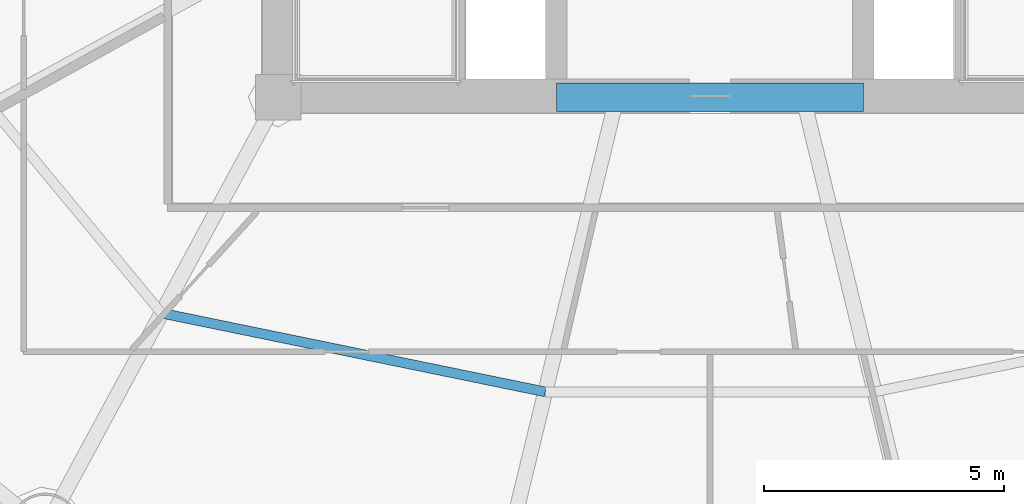
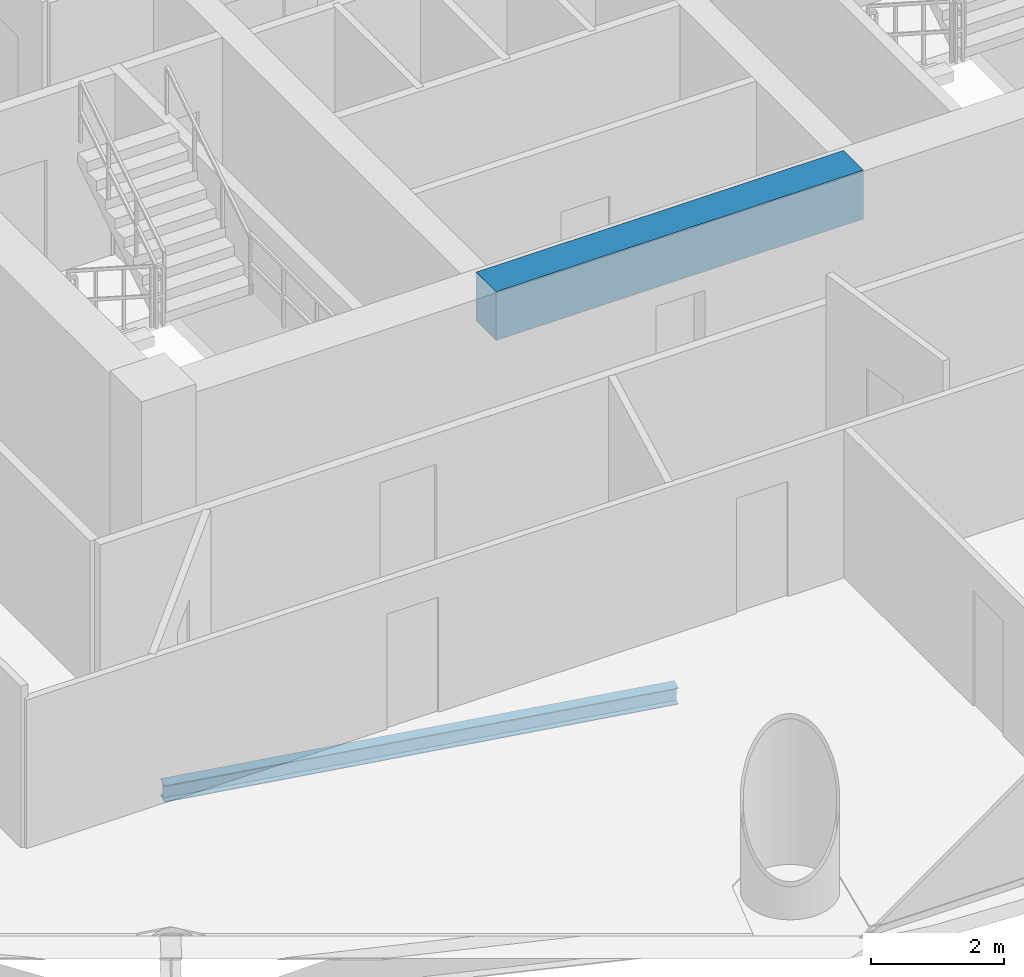
# One storey, part 6 of 29: 2 beams.
"""IFC4 building model written with IfcOpenShell, lengths in metres."""

from ifc_helpers import new_model, si_unit, direction, frame, origin, origin_2d, place, context, subcontext, project, spatial, rectangle, i_section, extrude, material, material_profile, profile_set, type_object, element, save


model = new_model("IFC4")

# Units and contexts
model_context = context("Model", 3, precision=1e-05, world=origin(), true_north=direction((-0.2419218956, 0.970295726276)))
body_context = subcontext(model_context, "Body", "Model", "MODEL_VIEW")
ifc_project = project(units=[si_unit("LENGTHUNIT", "METRE"), si_unit("AREAUNIT", "SQUARE_METRE"), si_unit("VOLUMEUNIT", "CUBIC_METRE"), si_unit("PLANEANGLEUNIT", "RADIAN"), si_unit("MASSUNIT", "GRAM", prefix="KILO")], contexts=[model_context])

# Site, building, storey
site_placement = place(None, origin())
site = spatial("IfcSite", under=ifc_project, at=site_placement, CompositionType="ELEMENT")
building_placement = place(site_placement, origin())
building = spatial("IfcBuilding", under=site, at=building_placement, Name="Cobrevalo Terracotta Tower", CompositionType="ELEMENT")
storey_placement = place(building_placement, frame((0.0, 0.0, 123.0)))
storey = spatial("IfcBuildingStorey", under=building, at=storey_placement, Name="L32", CompositionType="ELEMENT", Elevation=123.0)

# Beams
ifc_material_1 = material(Name="Concrete C60", Category="concrete")
ifc_material_profile_1 = material_profile(ifc_material_1, rectangle(XDim=0.60009765625, YDim=0.89990234375, at=origin_2d()), Name="RC CB 600x900")
ifc_profile_set_1 = profile_set([ifc_material_profile_1], Name="Concrete C60")
beam_type_1 = type_object("IfcBeamType", Name="Structural Beam RC CB 600x900 (Concrete C60)", PredefinedType="BEAM", material=ifc_profile_set_1)
beam_1_placement = place(storey_placement, frame((34.800048828125, 18.800048828125, 2.875), z_axis=(1.0, 0.0, 0.0), x_axis=(0.0, 1.0, 0.0)))
element("IfcBeam", 1, at=beam_1_placement, inside=storey, type_object=beam_type_1, Name="L32 core coupling beam 1", PredefinedType="BEAM", context=body_context, shape_type="SweptSolid", body=[
    extrude(rectangle(XDim=0.60009765625, YDim=0.89990234375, at=origin_2d()), origin(), (0.0, 0.0, 1.0), 6.39990234375),
])
ifc_material_2 = material(Name="Steel S355", Category="steel")
ifc_material_profile_2 = material_profile(ifc_material_2, i_section(OverallWidth=0.2041015625, OverallDepth=0.305908203125, WebThickness=0.008544921875, FlangeThickness=0.0146484375, at=origin_2d()), Name="W 310x67")
ifc_profile_set_2 = profile_set([ifc_material_profile_2], Name="Steel S355")
beam_type_2 = type_object("IfcBeamType", Name="Structural Joist W 310x67 (Steel S355)", PredefinedType="JOIST", material=ifc_profile_set_2)
beam_2_placement = place(storey_placement, frame((26.5693359375, 14.29833984375, -0.427978515625), z_axis=(0.979574469315, -0.201081722357, 0.0), x_axis=(0.201081722357, 0.979574469315, 0.0)))
element("IfcBeam", 2, at=beam_2_placement, inside=storey, type_object=beam_type_2, Name="L32 circumferential secondary floor joist 11", PredefinedType="JOIST", context=body_context, shape_type="SweptSolid", body=[
    extrude(i_section(OverallWidth=0.2041015625, OverallDepth=0.305908203125, WebThickness=0.008544921875, FlangeThickness=0.0146484375, at=origin_2d()), origin(), (0.0, 0.0, 1.0), 8.1650390625),
])

save(model, "model.ifc")
